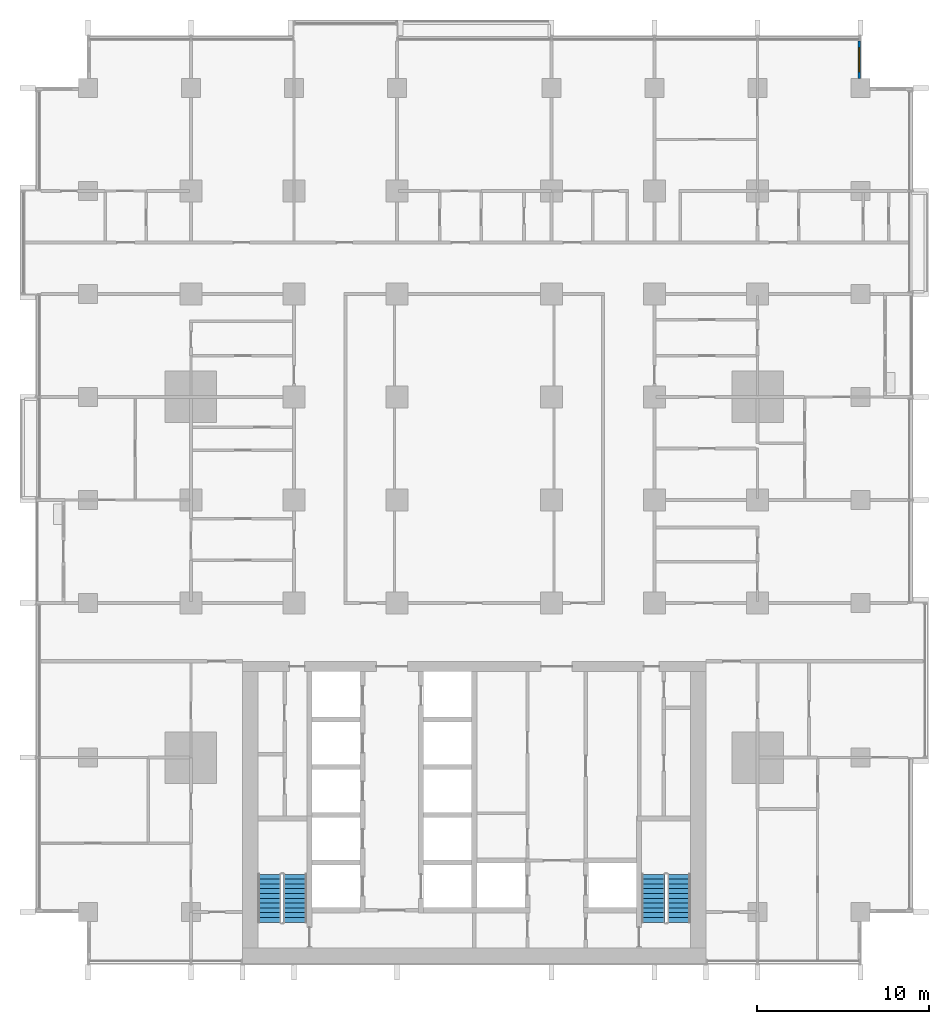
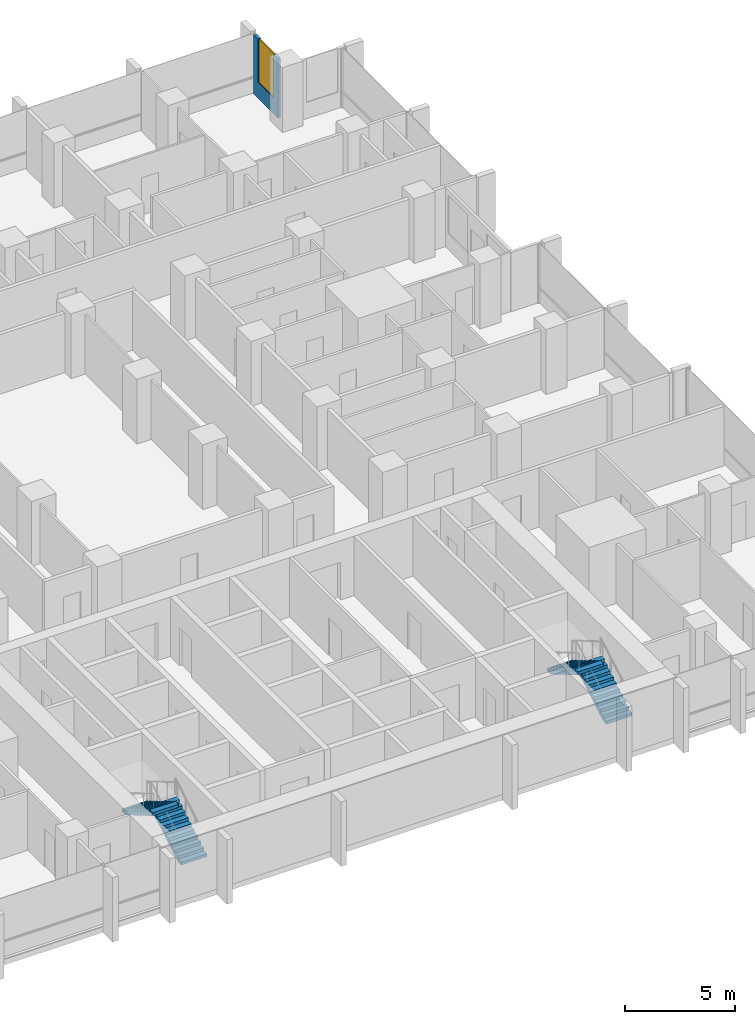
# One storey, part 13 of 18: 4 stair flights, 1 wall, 1 window, 1 opening, 2 elements without a shape of their own.
"""IFC4 building model written with IfcOpenShell, lengths in metres."""

from ifc_helpers import new_model, si_unit, direction, frame, frame_2d, origin, place, context, subcontext, project, spatial, polyline, rectangle, outline, extrude, material, layer, layer_set, type_object, element, fill, aggregate, save


model = new_model("IFC4")

# Units and contexts
model_context = context("Model", 3, precision=1e-05, world=origin(), true_north=direction((0.0, 1.0)))
body_context = subcontext(model_context, "Body", "Model", "MODEL_VIEW")
ifc_project = project(units=[si_unit("LENGTHUNIT", "METRE"), si_unit("AREAUNIT", "SQUARE_METRE"), si_unit("VOLUMEUNIT", "CUBIC_METRE"), si_unit("PLANEANGLEUNIT", "RADIAN"), si_unit("MASSUNIT", "GRAM", prefix="KILO")], contexts=[model_context])

# Site, building, storey
site_placement = place(None, origin())
site = spatial("IfcSite", under=ifc_project, at=site_placement, CompositionType="ELEMENT")
building_placement = place(site_placement, origin())
building = spatial("IfcBuilding", under=site, at=building_placement, Name="Finial Court Residences", CompositionType="ELEMENT")
storey_placement = place(building_placement, frame((0.0, 0.0, 36.10009765625)))
storey = spatial("IfcBuildingStorey", under=building, at=storey_placement, Name="L07", CompositionType="ELEMENT", Elevation=36.10009765625)

# Wall, opening, window
ifc_material_1 = material(Name="Natural limestone", Category="masonry")
ifc_layer = layer(ifc_material_1, 0.14990234375)
ifc_layer_set = layer_set([ifc_layer], Name="Limestone clad wall 150")
wall_type = type_object("IfcWallType", Name="Limestone clad wall 150", PredefinedType="SOLIDWALL", material=ifc_layer_set)
wall_placement = place(storey_placement, frame((22.425048828125, 28.25, 0.0), z_axis=(0.0, 0.0, 1.0), x_axis=(0.0, -1.0, 0.0)))
wall = element("IfcWall", 1, at=wall_placement, inside=storey, type_object=wall_type, Name="E-L07-NWE20", PredefinedType="SOLIDWALL", context=body_context, shape_type="SweptSolid", body=[
    extrude(rectangle(XDim=2.199951171875, YDim=0.14990234375, at=frame_2d((1.10009765625, 0.0))), origin(), (0.0, 0.0, 1.0), 3.2998046875),
])
opening_placement = place(wall_placement, frame((0.39990234375, 0.0, 0.89990234375)))
opening = element("IfcOpeningElement", 2, at=opening_placement, cuts=wall, Name="Opening WE07-07", PredefinedType="OPENING", context=body_context, shape_type="SweptSolid", body=[
    extrude(rectangle(XDim=1.39990234375, YDim=2.39990234375, at=frame_2d((0.699951171875, 1.199951171875))), frame((0.0, 0.0849609375, 0.0), z_axis=(0.0, -1.0, 0.0), x_axis=(1.0, 0.0, 0.0)), (0.0, 0.0, 1.0), 0.169921875),
])
ifc_material_2 = material(Name="Clear low-e glass", Category="glass")
window_type = type_object("IfcWindowType", Name="Corner window 1400 x 2400", PartitioningType="SINGLE_PANEL", PredefinedType="WINDOW", material=ifc_material_2)
window_placement = place(opening_placement, origin())
window = element("IfcWindow", 3, at=window_placement, inside=storey, type_object=window_type, Name="E-L07-NWE20-W1", OverallHeight=2.39990234375, OverallWidth=1.39990234375, PartitioningType="SINGLE_PANEL", PredefinedType="WINDOW", context=body_context, shape_type="SweptSolid", body=[
    extrude(rectangle(XDim=1.39990234375, YDim=2.39990234375, at=frame_2d((0.699951171875, 1.199951171875))), frame((0.0, 0.030029296875, 0.0), z_axis=(0.0, -1.0, 0.0), x_axis=(1.0, 0.0, 0.0)), (0.0, 0.0, 1.0), 0.06005859375),
])
fill(opening, window)

# Stair, stair flights
ifc_material_3 = material(Name="Concrete C50/60", Category="concrete")
stair_type = type_object("IfcStairType", Name="Exit stair 22 risers of 163.6 mm", PredefinedType="HALF_TURN_STAIR", material=ifc_material_3)
stair_1_placement = place(storey_placement, origin())
stair_1 = element("IfcStair", 4, at=stair_1_placement, inside=storey, type_object=stair_type, Name="L07 Exit stair ST-1", PredefinedType="HALF_TURN_STAIR")
stair_flight_type = type_object("IfcStairFlightType", Name="Exit stair flight", PredefinedType="STRAIGHT", material=ifc_material_3)
stair_flight_1_placement = place(storey_placement, frame((-10.425048828125, -23.10009765625, 0.0), z_axis=(0.0, 0.0, 1.0), x_axis=(0.0, 1.0, 0.0)))
stair_flight_1 = element("IfcStairFlight", 5, at=stair_flight_1_placement, type_object=stair_flight_type, Name="ST-1 flight 1", NumberOfRisers=11, NumberOfTreads=10, PredefinedType="STRAIGHT", RiserHeight=0.163636364, TreadLength=0.28, context=body_context, shape_type="SweptSolid", body=[
    extrude(outline(polyline([(0.0, 0.0), (0.0, 0.16357421875), (0.280029296875, 0.16357421875), (0.280029296875, 0.327392578125), (0.56005859375, 0.327392578125), (0.56005859375, 0.490966796875), (0.840087890625, 0.490966796875), (0.840087890625, 0.654541015625), (1.1201171875, 0.654541015625), (1.1201171875, 0.818115234375), (1.39990234375, 0.818115234375), (1.39990234375, 0.98193359375), (1.679931640625, 0.98193359375), (1.679931640625, 1.1455078125), (1.9599609375, 1.1455078125), (1.9599609375, 1.30908203125), (2.239990234375, 1.30908203125), (2.239990234375, 1.47265625), (2.52001953125, 1.47265625), (2.52001953125, 1.636474609375), (2.800048828125, 1.636474609375), (2.800048828125, 1.800048828125), (2.800048828125, 1.462646484375), (0.297119140625, 0.0), (0.0, 0.0)])), frame((0.0, 0.675048828125, 0.0), z_axis=(0.0, -1.0, 0.0), x_axis=(1.0, 0.0, 0.0)), (0.0, 0.0, 1.0), 1.35009765625),
])
stair_flight_2_placement = place(storey_placement, frame((-11.925048828125, -20.300048828125, 1.7998046875), z_axis=(0.0, 0.0, 1.0), x_axis=(0.0, -1.0, 0.0)))
stair_flight_2 = element("IfcStairFlight", 6, at=stair_flight_2_placement, type_object=stair_flight_type, Name="ST-1 flight 2", NumberOfRisers=11, NumberOfTreads=10, PredefinedType="STRAIGHT", RiserHeight=0.163636364, TreadLength=0.28, context=body_context, shape_type="SweptSolid", body=[
    extrude(outline(polyline([(0.0, 0.0), (0.0, 0.16357421875), (0.280029296875, 0.16357421875), (0.280029296875, 0.327392578125), (0.56005859375, 0.327392578125), (0.56005859375, 0.490966796875), (0.840087890625, 0.490966796875), (0.840087890625, 0.654541015625), (1.1201171875, 0.654541015625), (1.1201171875, 0.818115234375), (1.39990234375, 0.818115234375), (1.39990234375, 0.98193359375), (1.679931640625, 0.98193359375), (1.679931640625, 1.1455078125), (1.9599609375, 1.1455078125), (1.9599609375, 1.30908203125), (2.239990234375, 1.30908203125), (2.239990234375, 1.47265625), (2.52001953125, 1.47265625), (2.52001953125, 1.636474609375), (2.800048828125, 1.636474609375), (2.800048828125, 1.800048828125), (2.800048828125, 1.462646484375), (0.297119140625, 0.0), (0.0, 0.0)])), frame((0.0, 0.675048828125, 0.0), z_axis=(0.0, -1.0, 0.0), x_axis=(1.0, 0.0, 0.0)), (0.0, 0.0, 1.0), 1.35009765625),
])
aggregate(stair_1, [stair_flight_1, stair_flight_2])

stair_2_placement = place(storey_placement, origin())
stair_2 = element("IfcStair", 7, at=stair_2_placement, inside=storey, type_object=stair_type, Name="L07 Exit stair ST-2", PredefinedType="HALF_TURN_STAIR")
stair_flight_3_placement = place(storey_placement, frame((11.925048828125, -23.10009765625, 0.0), z_axis=(0.0, 0.0, 1.0), x_axis=(0.0, 1.0, 0.0)))
stair_flight_3 = element("IfcStairFlight", 8, at=stair_flight_3_placement, type_object=stair_flight_type, Name="ST-2 flight 1", NumberOfRisers=11, NumberOfTreads=10, PredefinedType="STRAIGHT", RiserHeight=0.163636364, TreadLength=0.28, context=body_context, shape_type="SweptSolid", body=[
    extrude(outline(polyline([(0.0, 0.0), (0.0, 0.16357421875), (0.280029296875, 0.16357421875), (0.280029296875, 0.327392578125), (0.56005859375, 0.327392578125), (0.56005859375, 0.490966796875), (0.840087890625, 0.490966796875), (0.840087890625, 0.654541015625), (1.1201171875, 0.654541015625), (1.1201171875, 0.818115234375), (1.39990234375, 0.818115234375), (1.39990234375, 0.98193359375), (1.679931640625, 0.98193359375), (1.679931640625, 1.1455078125), (1.9599609375, 1.1455078125), (1.9599609375, 1.30908203125), (2.239990234375, 1.30908203125), (2.239990234375, 1.47265625), (2.52001953125, 1.47265625), (2.52001953125, 1.636474609375), (2.800048828125, 1.636474609375), (2.800048828125, 1.800048828125), (2.800048828125, 1.462646484375), (0.297119140625, 0.0), (0.0, 0.0)])), frame((0.0, 0.675048828125, 0.0), z_axis=(0.0, -1.0, 0.0), x_axis=(1.0, 0.0, 0.0)), (0.0, 0.0, 1.0), 1.35009765625),
])
stair_flight_4_placement = place(storey_placement, frame((10.425048828125, -20.300048828125, 1.7998046875), z_axis=(0.0, 0.0, 1.0), x_axis=(0.0, -1.0, 0.0)))
stair_flight_4 = element("IfcStairFlight", 9, at=stair_flight_4_placement, type_object=stair_flight_type, Name="ST-2 flight 2", NumberOfRisers=11, NumberOfTreads=10, PredefinedType="STRAIGHT", RiserHeight=0.163636364, TreadLength=0.28, context=body_context, shape_type="SweptSolid", body=[
    extrude(outline(polyline([(0.0, 0.0), (0.0, 0.16357421875), (0.280029296875, 0.16357421875), (0.280029296875, 0.327392578125), (0.56005859375, 0.327392578125), (0.56005859375, 0.490966796875), (0.840087890625, 0.490966796875), (0.840087890625, 0.654541015625), (1.1201171875, 0.654541015625), (1.1201171875, 0.818115234375), (1.39990234375, 0.818115234375), (1.39990234375, 0.98193359375), (1.679931640625, 0.98193359375), (1.679931640625, 1.1455078125), (1.9599609375, 1.1455078125), (1.9599609375, 1.30908203125), (2.239990234375, 1.30908203125), (2.239990234375, 1.47265625), (2.52001953125, 1.47265625), (2.52001953125, 1.636474609375), (2.800048828125, 1.636474609375), (2.800048828125, 1.800048828125), (2.800048828125, 1.462646484375), (0.297119140625, 0.0), (0.0, 0.0)])), frame((0.0, 0.675048828125, 0.0), z_axis=(0.0, -1.0, 0.0), x_axis=(1.0, 0.0, 0.0)), (0.0, 0.0, 1.0), 1.35009765625),
])
aggregate(stair_2, [stair_flight_3, stair_flight_4])

save(model, "model.ifc")
